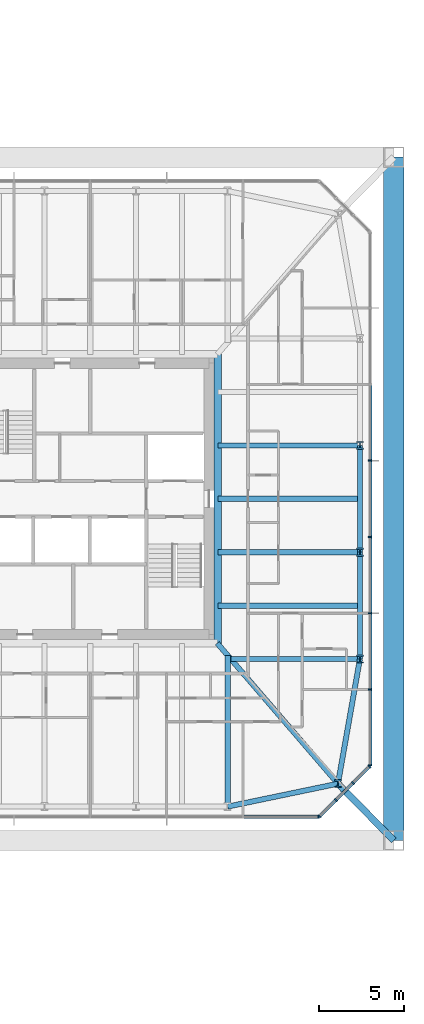
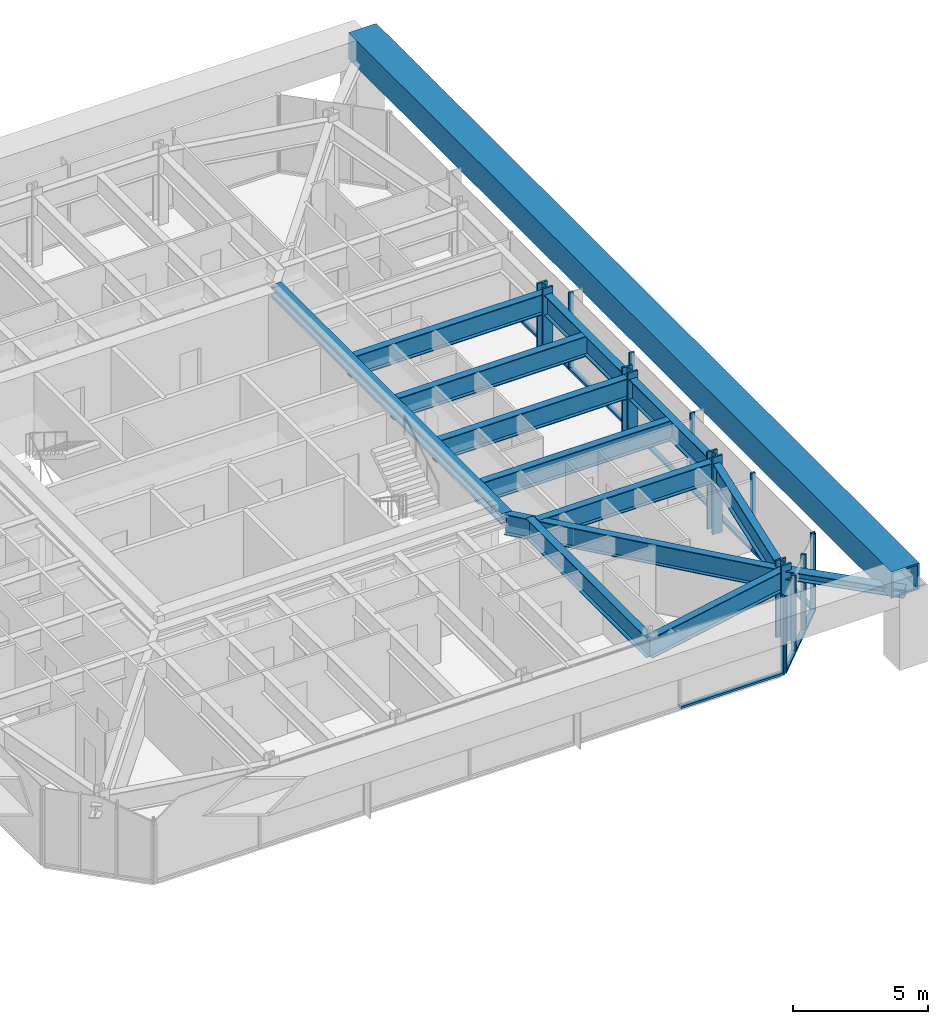
# One storey, part 15 of 32: 25 members, 12 beams, 3 elements without a shape of their own.
"""IFC4 building model written with IfcOpenShell, lengths in metres."""

from ifc_helpers import new_model, si_unit, direction, frame, origin, origin_2d, place, context, subcontext, project, spatial, rectangle, hollow_rectangle, i_section, extrude, material, material_profile, profile_set, type_object, element, aggregate, save


model = new_model("IFC4")

# Units and contexts
model_context = context("Model", 3, precision=1e-05, world=origin(), true_north=direction((0.0, 1.0)))
body_context = subcontext(model_context, "Body", "Model", "MODEL_VIEW")
ifc_project = project(units=[si_unit("LENGTHUNIT", "METRE"), si_unit("AREAUNIT", "SQUARE_METRE"), si_unit("VOLUMEUNIT", "CUBIC_METRE"), si_unit("PLANEANGLEUNIT", "RADIAN"), si_unit("MASSUNIT", "GRAM", prefix="KILO")], contexts=[model_context])

# Site, building, storey
site_placement = place(None, origin())
site = spatial("IfcSite", under=ifc_project, at=site_placement, CompositionType="ELEMENT")
building_placement = place(site_placement, origin())
building = spatial("IfcBuilding", under=site, at=building_placement, Name="Iwan Alto Co-Living Towers", CompositionType="ELEMENT")
storey_placement = place(building_placement, frame((0.0, 0.0, 71.0)))
storey = spatial("IfcBuildingStorey", under=building, at=storey_placement, Name="L19", CompositionType="ELEMENT", Elevation=71.0)

# Curtain wall, member
ifc_material_1 = material(Name="Bronze aluminium unitised frame", Category="aluminium")
curtain_wall_type_1 = type_object("IfcCurtainWallType", Name="CURTAIN WALL CW-C", PredefinedType="NOTDEFINED", material=ifc_material_1)
curtain_wall_1_placement = place(storey_placement, origin())
curtain_wall_1 = element("IfcCurtainWall", 1, at=curtain_wall_1_placement, inside=storey, type_object=curtain_wall_type_1, Name="T2 curtain wall S L19", PredefinedType="NOTDEFINED")
ifc_material_2 = material(Name="Aluminium 6063-T6 bronze anodised", Category="aluminium")
ifc_material_profile_1 = material_profile(ifc_material_2, rectangle(XDim=0.199951171875, YDim=0.080078125, at=origin_2d()), Name="AL 80X200")
ifc_profile_set_1 = profile_set([ifc_material_profile_1], Name="Aluminium 6063-T6 bronze anodised")
member_type_1 = type_object("IfcMemberType", Name="CW-C MULLION 80X200", PredefinedType="MULLION", material=ifc_profile_set_1)
member_1_placement = place(storey_placement, frame((76.4599609375, -18.75, 0.0), z_axis=(0.0, 0.0, 1.0), x_axis=(0.0, 1.0, 0.0)))
member_1 = element("IfcMember", 2, at=member_1_placement, type_object=member_type_1, Name="CW-C mullion 7", PredefinedType="MULLION", context=body_context, shape_type="SweptSolid", body=[
    extrude(rectangle(XDim=0.199951171875, YDim=0.080078125, at=origin_2d()), origin(), (0.0, 0.0, 1.0), 3.5),
])

# Curtain wall, members
curtain_wall_2_placement = place(storey_placement, origin())
curtain_wall_2 = element("IfcCurtainWall", 3, at=curtain_wall_2_placement, inside=storey, type_object=curtain_wall_type_1, Name="T2 curtain wall E L19", PredefinedType="NOTDEFINED")
member_2_placement = place(storey_placement, frame((79.5, -15.7099609375, 0.0), z_axis=(0.0, 0.0, 1.0), x_axis=(-1.0, 0.0, 0.0)))
member_2 = element("IfcMember", 4, at=member_2_placement, type_object=member_type_1, Name="CW-C mullion 1", PredefinedType="MULLION", context=body_context, shape_type="SweptSolid", body=[
    extrude(rectangle(XDim=0.199951171875, YDim=0.080078125, at=origin_2d()), origin(), (0.0, 0.0, 1.0), 3.5),
])
member_3_placement = place(storey_placement, frame((79.5, -11.25, 0.0), z_axis=(0.0, 0.0, 1.0), x_axis=(-1.0, 0.0, 0.0)))
member_3 = element("IfcMember", 5, at=member_3_placement, type_object=member_type_1, Name="CW-C mullion 2", PredefinedType="MULLION", context=body_context, shape_type="SweptSolid", body=[
    extrude(rectangle(XDim=0.199951171875, YDim=0.080078125, at=origin_2d()), origin(), (0.0, 0.0, 1.0), 3.5),
])
member_4_placement = place(storey_placement, frame((79.5, -6.75, 0.0), z_axis=(0.0, 0.0, 1.0), x_axis=(-1.0, 0.0, 0.0)))
member_4 = element("IfcMember", 6, at=member_4_placement, type_object=member_type_1, Name="CW-C mullion 3", PredefinedType="MULLION", context=body_context, shape_type="SweptSolid", body=[
    extrude(rectangle(XDim=0.199951171875, YDim=0.080078125, at=origin_2d()), origin(), (0.0, 0.0, 1.0), 3.5),
])
member_5_placement = place(storey_placement, frame((79.5, -2.25, 0.0), z_axis=(0.0, 0.0, 1.0), x_axis=(-1.0, 0.0, 0.0)))
member_5 = element("IfcMember", 7, at=member_5_placement, type_object=member_type_1, Name="CW-C mullion 4", PredefinedType="MULLION", context=body_context, shape_type="SweptSolid", body=[
    extrude(rectangle(XDim=0.199951171875, YDim=0.080078125, at=origin_2d()), origin(), (0.0, 0.0, 1.0), 3.5),
])
member_6_placement = place(storey_placement, frame((79.5, 2.25, 0.0), z_axis=(0.0, 0.0, 1.0), x_axis=(-1.0, 0.0, 0.0)))
member_6 = element("IfcMember", 8, at=member_6_placement, type_object=member_type_1, Name="CW-C mullion 5", PredefinedType="MULLION", context=body_context, shape_type="SweptSolid", body=[
    extrude(rectangle(XDim=0.199951171875, YDim=0.080078125, at=origin_2d()), origin(), (0.0, 0.0, 1.0), 3.5),
])

# Member
ifc_material_3 = material(Name="Aluminium 6063-T6 bronze anodised", Category="aluminium")
ifc_material_profile_2 = material_profile(ifc_material_3, rectangle(XDim=0.199951171875, YDim=0.10009765625, at=origin_2d()), Name="AL 200X100")
ifc_profile_set_2 = profile_set([ifc_material_profile_2], Name="Aluminium 6063-T6 bronze anodised")
member_type_2 = type_object("IfcMemberType", Name="CW-C TRANSOM 200X100", PredefinedType="USERDEFINED", material=ifc_profile_set_2)
member_7_placement = place(storey_placement, frame((72.0400390625, -18.75, 0.050048828125), z_axis=(1.0, 0.0, 0.0), x_axis=(0.0, 1.0, 0.0)))
member_7 = element("IfcMember", 9, at=member_7_placement, type_object=member_type_2, Name="CW-C transom 6.1", ObjectType="TRANSOM", PredefinedType="USERDEFINED", context=body_context, shape_type="SweptSolid", body=[
    extrude(rectangle(XDim=0.199951171875, YDim=0.10009765625, at=origin_2d()), origin(), (0.0, 0.0, 1.0), 4.3798828125),
])

aggregate(curtain_wall_1, [member_1, member_7])

member_8_placement = place(storey_placement, frame((79.5, -15.669921875, 0.050048828125), z_axis=(0.0, 1.0, 0.0), x_axis=(-1.0, 0.0, 0.0)))
member_8 = element("IfcMember", 10, at=member_8_placement, type_object=member_type_2, Name="CW-C transom 1.1", ObjectType="TRANSOM", PredefinedType="USERDEFINED", context=body_context, shape_type="SweptSolid", body=[
    extrude(rectangle(XDim=0.199951171875, YDim=0.10009765625, at=origin_2d()), origin(), (0.0, 0.0, 1.0), 4.3798828125),
])

member_9_placement = place(storey_placement, frame((79.5, -11.2099609375, 0.050048828125), z_axis=(0.0, 1.0, 0.0), x_axis=(-1.0, 0.0, 0.0)))
member_9 = element("IfcMember", 11, at=member_9_placement, type_object=member_type_2, Name="CW-C transom 2.1", ObjectType="TRANSOM", PredefinedType="USERDEFINED", context=body_context, shape_type="SweptSolid", body=[
    extrude(rectangle(XDim=0.199951171875, YDim=0.10009765625, at=origin_2d()), origin(), (0.0, 0.0, 1.0), 4.419921875),
])

member_10_placement = place(storey_placement, frame((79.5, -6.7099609375, 0.050048828125), z_axis=(0.0, 1.0, 0.0), x_axis=(-1.0, 0.0, 0.0)))
member_10 = element("IfcMember", 12, at=member_10_placement, type_object=member_type_2, Name="CW-C transom 3.1", ObjectType="TRANSOM", PredefinedType="USERDEFINED", context=body_context, shape_type="SweptSolid", body=[
    extrude(rectangle(XDim=0.199951171875, YDim=0.10009765625, at=origin_2d()), origin(), (0.0, 0.0, 1.0), 4.419921875),
])

member_11_placement = place(storey_placement, frame((79.5, -2.2099609375, 0.050048828125), z_axis=(0.0, 1.0, 0.0), x_axis=(-1.0, 0.0, 0.0)))
member_11 = element("IfcMember", 13, at=member_11_placement, type_object=member_type_2, Name="CW-C transom 4.1", ObjectType="TRANSOM", PredefinedType="USERDEFINED", context=body_context, shape_type="SweptSolid", body=[
    extrude(rectangle(XDim=0.199951171875, YDim=0.10009765625, at=origin_2d()), origin(), (0.0, 0.0, 1.0), 4.419921875),
])

member_12_placement = place(storey_placement, frame((79.5, 2.2900390625, 0.050048828125), z_axis=(0.0, 1.0, 0.0), x_axis=(-1.0, 0.0, 0.0)))
member_12 = element("IfcMember", 14, at=member_12_placement, type_object=member_type_2, Name="CW-C transom 5.1", ObjectType="TRANSOM", PredefinedType="USERDEFINED", context=body_context, shape_type="SweptSolid", body=[
    extrude(rectangle(XDim=0.199951171875, YDim=0.10009765625, at=origin_2d()), origin(), (0.0, 0.0, 1.0), 4.419921875),
])

aggregate(curtain_wall_2, [member_2, member_3, member_4, member_5, member_6, member_8, member_9, member_10, member_11, member_12])

# Curtain wall, members
ifc_material_4 = material(Name="Bronze aluminium unitised frame", Category="aluminium")
curtain_wall_type_2 = type_object("IfcCurtainWallType", Name="CURTAIN WALL CW-D", PredefinedType="NOTDEFINED", material=ifc_material_4)
curtain_wall_3_placement = place(storey_placement, origin())
curtain_wall_3 = element("IfcCurtainWall", 15, at=curtain_wall_3_placement, inside=storey, type_object=curtain_wall_type_2, Name="T2 chamfer curtain wall SE L19", PredefinedType="NOTDEFINED")
ifc_material_5 = material(Name="Aluminium 6063-T6 bronze anodised", Category="aluminium")
ifc_material_profile_3 = material_profile(ifc_material_5, rectangle(XDim=0.199951171875, YDim=0.080078125, at=origin_2d()), Name="AL 80X200")
ifc_profile_set_3 = profile_set([ifc_material_profile_3], Name="Aluminium 6063-T6 bronze anodised")
member_type_3 = type_object("IfcMemberType", Name="CW-D MULLION 80X200", PredefinedType="MULLION", material=ifc_profile_set_3)
member_13_placement = place(storey_placement, frame((76.5283203125, -18.7216796875, 0.0), z_axis=(0.0, 0.0, 1.0), x_axis=(-0.707106781187, 0.707106781187, 0.0)))
member_13 = element("IfcMember", 16, at=member_13_placement, type_object=member_type_3, Name="CW-D mullion 1", PredefinedType="MULLION", context=body_context, shape_type="SweptSolid", body=[
    extrude(rectangle(XDim=0.199951171875, YDim=0.080078125, at=origin_2d()), origin(), (0.0, 0.0, 1.0), 3.5),
])
member_14_placement = place(storey_placement, frame((77.5, -17.75, 0.0), z_axis=(0.0, 0.0, 1.0), x_axis=(-0.707106781187, 0.707106781187, 0.0)))
member_14 = element("IfcMember", 17, at=member_14_placement, type_object=member_type_3, Name="CW-D mullion 2", PredefinedType="MULLION", context=body_context, shape_type="SweptSolid", body=[
    extrude(rectangle(XDim=0.199951171875, YDim=0.080078125, at=origin_2d()), origin(), (0.0, 0.0, 1.0), 3.5),
])
member_15_placement = place(storey_placement, frame((78.5, -16.75, 0.0), z_axis=(0.0, 0.0, 1.0), x_axis=(-0.707106781187, 0.707106781187, 0.0)))
member_15 = element("IfcMember", 18, at=member_15_placement, type_object=member_type_3, Name="CW-D mullion 3", PredefinedType="MULLION", context=body_context, shape_type="SweptSolid", body=[
    extrude(rectangle(XDim=0.199951171875, YDim=0.080078125, at=origin_2d()), origin(), (0.0, 0.0, 1.0), 3.5),
])
member_16_placement = place(storey_placement, frame((79.4716796875, -15.7783203125, 0.0), z_axis=(0.0, 0.0, 1.0), x_axis=(-0.707106781187, 0.707106781187, 0.0)))
member_16 = element("IfcMember", 19, at=member_16_placement, type_object=member_type_3, Name="CW-D mullion 4", PredefinedType="MULLION", context=body_context, shape_type="SweptSolid", body=[
    extrude(rectangle(XDim=0.199951171875, YDim=0.080078125, at=origin_2d()), origin(), (0.0, 0.0, 1.0), 3.5),
])
ifc_material_6 = material(Name="Aluminium 6063-T6 bronze anodised", Category="aluminium")
ifc_material_profile_4 = material_profile(ifc_material_6, rectangle(XDim=0.199951171875, YDim=0.10009765625, at=origin_2d()), Name="AL 200X100")
ifc_profile_set_4 = profile_set([ifc_material_profile_4], Name="Aluminium 6063-T6 bronze anodised")
member_type_4 = type_object("IfcMemberType", Name="CW-D TRANSOM 200X100", PredefinedType="USERDEFINED", material=ifc_profile_set_4)
member_17_placement = place(storey_placement, frame((76.556640625, -18.693359375, 0.050048828125), z_axis=(0.707106781187, 0.707106781187, 0.0), x_axis=(-0.707106781187, 0.707106781187, 0.0)))
member_17 = element("IfcMember", 20, at=member_17_placement, type_object=member_type_4, Name="CW-D transom 1.1", ObjectType="TRANSOM", PredefinedType="USERDEFINED", context=body_context, shape_type="SweptSolid", body=[
    extrude(rectangle(XDim=0.199951171875, YDim=0.10009765625, at=origin_2d()), origin(), (0.0, 0.0, 1.0), 1.2939453125),
])
member_18_placement = place(storey_placement, frame((77.5283203125, -17.7216796875, 0.050048828125), z_axis=(0.707106781187, 0.707106781187, 0.0), x_axis=(-0.707106781187, 0.707106781187, 0.0)))
member_18 = element("IfcMember", 21, at=member_18_placement, type_object=member_type_4, Name="CW-D transom 2.1", ObjectType="TRANSOM", PredefinedType="USERDEFINED", context=body_context, shape_type="SweptSolid", body=[
    extrude(rectangle(XDim=0.199951171875, YDim=0.10009765625, at=origin_2d()), origin(), (0.0, 0.0, 1.0), 1.334228515625),
])
member_19_placement = place(storey_placement, frame((78.5283203125, -16.7216796875, 0.050048828125), z_axis=(0.707106781187, 0.707106781187, 0.0), x_axis=(-0.707106781187, 0.707106781187, 0.0)))
member_19 = element("IfcMember", 22, at=member_19_placement, type_object=member_type_4, Name="CW-D transom 3.1", ObjectType="TRANSOM", PredefinedType="USERDEFINED", context=body_context, shape_type="SweptSolid", body=[
    extrude(rectangle(XDim=0.199951171875, YDim=0.10009765625, at=origin_2d()), origin(), (0.0, 0.0, 1.0), 1.2939453125),
])
aggregate(curtain_wall_3, [member_13, member_14, member_15, member_16, member_17, member_18, member_19])

# Beams
ifc_material_7 = material(Name="Steel ASTM A992 Gr 50", Category="steel")
ifc_material_profile_5 = material_profile(ifc_material_7, i_section(OverallWidth=0.436767578125, OverallDepth=0.51318359375, WebThickness=0.060546875, FlangeThickness=0.096923828125, at=origin_2d()), Name="W14X550")
ifc_profile_set_5 = profile_set([ifc_material_profile_5], Name="Steel ASTM A992 Gr 50")
beam_type_1 = type_object("IfcBeamType", Name="T2 CORE LEDGER BEAM W14X550", PredefinedType="BEAM", material=ifc_profile_set_5)
beam_1_placement = place(storey_placement, frame((70.5185546875, -8.553955078125, 2.943359375), z_axis=(0.0, 1.0, 0.0), x_axis=(-1.0, 0.0, 0.0)))
element("IfcBeam", 23, at=beam_1_placement, inside=storey, type_object=beam_type_1, Name="T2 core ledger beam E L20", PredefinedType="BEAM", context=body_context, shape_type="SweptSolid", body=[
    extrude(i_section(OverallWidth=0.436767578125, OverallDepth=0.51318359375, WebThickness=0.060546875, FlangeThickness=0.096923828125, at=origin_2d()), origin(), (0.0, 0.0, 1.0), 17.10791015625),
])
ifc_material_8 = material(Name="Steel ASTM A992 Gr 50", Category="steel")
ifc_material_profile_6 = material_profile(ifc_material_8, i_section(OverallWidth=0.307373046875, OverallDepth=0.927001953125, WebThickness=0.01953125, FlangeThickness=0.031982421875, at=origin_2d()), Name="W36X194")
ifc_profile_set_6 = profile_set([ifc_material_profile_6], Name="Steel ASTM A992 Gr 50")
beam_type_2 = type_object("IfcBeamType", Name="T2 CORNER GIRDER W36X194", PredefinedType="BEAM", material=ifc_profile_set_6)
beam_2_placement = place(storey_placement, frame((77.606201171875, -16.797119140625, 2.736328125), z_axis=(-0.651978338393, 0.758237592227, 0.0), x_axis=(-0.758237592227, -0.651978338393, 0.0)))
element("IfcBeam", 24, at=beam_2_placement, inside=storey, type_object=beam_type_2, Name="T2 corner girder CSE L20", PredefinedType="BEAM", context=body_context, shape_type="SweptSolid", body=[
    extrude(i_section(OverallWidth=0.307373046875, OverallDepth=0.927001953125, WebThickness=0.01953125, FlangeThickness=0.031982421875, at=origin_2d()), origin(), (0.0, 0.0, 1.0), 10.918212890625),
])
ifc_material_9 = material(Name="Steel ASTM A992 Gr 50", Category="steel")
ifc_material_profile_7 = material_profile(ifc_material_9, i_section(OverallWidth=0.307373046875, OverallDepth=0.927001953125, WebThickness=0.01953125, FlangeThickness=0.031982421875, at=origin_2d()), Name="W36X194")
ifc_profile_set_7 = profile_set([ifc_material_profile_7], Name="Steel ASTM A992 Gr 50")
beam_type_3 = type_object("IfcBeamType", Name="T2 EDGE BEAM W36X194", PredefinedType="BEAM", material=ifc_profile_set_7)
beam_3_placement = place(storey_placement, frame((71.10009765625, -18.14990234375, 2.736328125), z_axis=(0.979060119423, 0.203571320564, 0.0), x_axis=(-0.203571320564, 0.979060119423, 0.0)))
element("IfcBeam", 25, at=beam_3_placement, inside=storey, type_object=beam_type_3, Name="T2 edge beam S4 L20", PredefinedType="BEAM", context=body_context, shape_type="SweptSolid", body=[
    extrude(i_section(OverallWidth=0.307373046875, OverallDepth=0.927001953125, WebThickness=0.01953125, FlangeThickness=0.031982421875, at=origin_2d()), origin(), (0.0, 0.0, 1.0), 6.645263671875),
])
beam_4_placement = place(storey_placement, frame((77.606201171875, -16.797119140625, 2.736328125), z_axis=(0.173413807283, 0.98484905008, 0.0), x_axis=(-0.98484905008, 0.173413807283, 0.0)))
element("IfcBeam", 26, at=beam_4_placement, inside=storey, type_object=beam_type_3, Name="T2 edge beam CSE L20", PredefinedType="BEAM", context=body_context, shape_type="SweptSolid", body=[
    extrude(i_section(OverallWidth=0.307373046875, OverallDepth=0.927001953125, WebThickness=0.01953125, FlangeThickness=0.031982421875, at=origin_2d()), origin(), (0.0, 0.0, 1.0), 7.460205078125),
])
beam_5_placement = place(storey_placement, frame((78.89990234375, -9.449951171875, 2.736328125), z_axis=(0.0, 1.0, 0.0), x_axis=(-1.0, 0.0, 0.0)))
element("IfcBeam", 27, at=beam_5_placement, inside=storey, type_object=beam_type_3, Name="T2 edge beam E1 L20", PredefinedType="BEAM", context=body_context, shape_type="SweptSolid", body=[
    extrude(i_section(OverallWidth=0.307373046875, OverallDepth=0.927001953125, WebThickness=0.01953125, FlangeThickness=0.031982421875, at=origin_2d()), origin(), (0.0, 0.0, 1.0), 6.300048828125),
])
beam_6_placement = place(storey_placement, frame((78.89990234375, -3.14990234375, 2.736328125), z_axis=(0.0, 1.0, 0.0), x_axis=(-1.0, 0.0, 0.0)))
element("IfcBeam", 28, at=beam_6_placement, inside=storey, type_object=beam_type_3, Name="T2 edge beam E2 L20", PredefinedType="BEAM", context=body_context, shape_type="SweptSolid", body=[
    extrude(i_section(OverallWidth=0.307373046875, OverallDepth=0.927001953125, WebThickness=0.01953125, FlangeThickness=0.031982421875, at=origin_2d()), origin(), (0.0, 0.0, 1.0), 6.2998046875),
])

# Members
ifc_material_10 = material(Name="Steel ASTM A572 Gr 50", Category="steel")
ifc_material_profile_8 = material_profile(ifc_material_10, hollow_rectangle(XDim=1.199951171875, YDim=1.199951171875, WallThickness=0.070068359375, at=origin_2d()), Name="BOX 1200X1200X70")
ifc_profile_set_8 = profile_set([ifc_material_profile_8], Name="Steel ASTM A572 Gr 50")
member_type_5 = type_object("IfcMemberType", Name="T2 MEGA BELT TIE BOX 1200X1200X70", PredefinedType="STRUT", material=ifc_profile_set_8)
member_20_placement = place(storey_placement, frame((80.89990234375, -20.14990234375, 3.5), z_axis=(0.0, 1.0, 0.0), x_axis=(-1.0, 0.0, 0.0)))
element("IfcMember", 29, at=member_20_placement, inside=storey, type_object=member_type_5, Name="T2 mega belt tie E L20", PredefinedType="STRUT", context=body_context, shape_type="SweptSolid", body=[
    extrude(hollow_rectangle(XDim=1.199951171875, YDim=1.199951171875, WallThickness=0.070068359375, at=origin_2d()), origin(), (0.0, 0.0, 1.0), 40.2998046875),
])
ifc_material_11 = material(Name="Steel ASTM A992 Gr 50", Category="steel")
ifc_material_profile_9 = material_profile(ifc_material_11, i_section(OverallWidth=0.393798828125, OverallDepth=0.3759765625, WebThickness=0.017333984375, FlangeThickness=0.027587890625, at=origin_2d()), Name="W14X145")
ifc_profile_set_9 = profile_set([ifc_material_profile_9], Name="Steel ASTM A992 Gr 50")
member_type_6 = type_object("IfcMemberType", Name="T2 MEGA COLUMN FLOOR TIE W14X145", PredefinedType="STRUT", material=ifc_profile_set_9)
member_21_placement = place(storey_placement, frame((80.89990234375, -20.14990234375, 3.011962890625), z_axis=(-0.700793469544, 0.71336422187, 0.0), x_axis=(-0.71336422187, -0.700793469544, 0.0)))
element("IfcMember", 30, at=member_21_placement, inside=storey, type_object=member_type_6, Name="T2 mega column floor tie SE L20", PredefinedType="STRUT", context=body_context, shape_type="SweptSolid", body=[
    extrude(i_section(OverallWidth=0.393798828125, OverallDepth=0.3759765625, WebThickness=0.017333984375, FlangeThickness=0.027587890625, at=origin_2d()), origin(), (0.0, 0.0, 1.0), 4.699951171875),
])

# Beams
ifc_material_12 = material(Name="Steel ASTM A992 Gr 50", Category="steel")
ifc_material_profile_10 = material_profile(ifc_material_12, i_section(OverallWidth=0.307373046875, OverallDepth=0.927001953125, WebThickness=0.01953125, FlangeThickness=0.031982421875, at=origin_2d()), Name="W36X194")
ifc_profile_set_10 = profile_set([ifc_material_profile_10], Name="Steel ASTM A992 Gr 50")
beam_type_4 = type_object("IfcBeamType", Name="T2 RADIAL BEAM W36X194", PredefinedType="BEAM", material=ifc_profile_set_10)
beam_7_placement = place(storey_placement, frame((71.10009765625, -18.14990234375, 2.736328125), z_axis=(0.0, 1.0, 0.0), x_axis=(-1.0, 0.0, 0.0)))
element("IfcBeam", 31, at=beam_7_placement, inside=storey, type_object=beam_type_4, Name="T2 radial beam S4 L20", PredefinedType="BEAM", context=body_context, shape_type="SweptSolid", body=[
    extrude(i_section(OverallWidth=0.307373046875, OverallDepth=0.927001953125, WebThickness=0.01953125, FlangeThickness=0.031982421875, at=origin_2d()), origin(), (0.0, 0.0, 1.0), 8.91943359375),
])
beam_8_placement = place(storey_placement, frame((78.89990234375, -9.449951171875, 2.736328125), z_axis=(-1.0, 0.0, 0.0), x_axis=(0.0, -1.0, 0.0)))
element("IfcBeam", 32, at=beam_8_placement, inside=storey, type_object=beam_type_4, Name="T2 radial beam E1 L20", PredefinedType="BEAM", context=body_context, shape_type="SweptSolid", body=[
    extrude(i_section(OverallWidth=0.307373046875, OverallDepth=0.927001953125, WebThickness=0.01953125, FlangeThickness=0.031982421875, at=origin_2d()), origin(), (0.0, 0.0, 1.0), 7.611083984375),
])
for number, where, z_axis, x_axis, name in (
    (33, (78.89990234375, -3.14990234375, 2.736328125), (-1.0, 0.0, 0.0), (0.0, -1.0, 0.0), "T2 radial beam E2 L20"),
    (34, (78.89990234375, 3.14990234375, 2.736328125), (-1.0, 0.0, 0.0), (0.0, -1.0, 0.0), "T2 radial beam E3 L20"),
):
    element("IfcBeam", number, at=place(storey_placement, frame(where, z_axis=z_axis, x_axis=x_axis)), inside=storey, type_object=beam_type_4, Name=name, PredefinedType="BEAM", context=body_context, shape_type="SweptSolid", body=[
        extrude(i_section(OverallWidth=0.307373046875, OverallDepth=0.927001953125, WebThickness=0.01953125, FlangeThickness=0.031982421875, at=origin_2d()), origin(), (0.0, 0.0, 1.0), 8.38134765625),
    ])

# Members
ifc_material_13 = material(Name="Steel ASTM A992 Gr 50", Category="steel")
ifc_material_profile_11 = material_profile(ifc_material_13, i_section(OverallWidth=0.424072265625, OverallDepth=0.47509765625, WebThickness=0.0478515625, FlangeThickness=0.0771484375, at=origin_2d()), Name="W14X426")
ifc_profile_set_11 = profile_set([ifc_material_profile_11], Name="Steel ASTM A992 Gr 50")
member_type_7 = type_object("IfcMemberType", Name="T2 RING POST AT STEP W14X426", PredefinedType="MEMBER", material=ifc_profile_set_11)
for number, where, z_axis, x_axis, name in (
    (35, (77.606201171875, -16.797119140625, 0.0), (0.0, 0.0, 1.0), (1.0, 0.0, 0.0), "T2 ring post at step CSE L19"),
    (36, (78.89990234375, -9.449951171875, 0.0), (0.0, 0.0, 1.0), (1.0, 0.0, 0.0), "T2 ring post at step E1 L19"),
    (37, (78.89990234375, -3.14990234375, 0.0), (0.0, 0.0, 1.0), (1.0, 0.0, 0.0), "T2 ring post at step E2 L19"),
    (38, (78.89990234375, 3.14990234375, 0.0), (0.0, 0.0, 1.0), (1.0, 0.0, 0.0), "T2 ring post at step E3 L19"),
):
    element("IfcMember", number, at=place(storey_placement, frame(where, z_axis=z_axis, x_axis=x_axis)), inside=storey, type_object=member_type_7, Name=name, PredefinedType="MEMBER", context=body_context, shape_type="SweptSolid", body=[
        extrude(i_section(OverallWidth=0.424072265625, OverallDepth=0.47509765625, WebThickness=0.0478515625, FlangeThickness=0.0771484375, at=origin_2d()), origin(), (0.0, 0.0, 1.0), 3.5),
    ])

# Beams
ifc_material_14 = material(Name="Steel ASTM A992 Gr 50", Category="steel")
ifc_material_profile_12 = material_profile(ifc_material_14, i_section(OverallWidth=0.307373046875, OverallDepth=0.927001953125, WebThickness=0.01953125, FlangeThickness=0.031982421875, at=origin_2d()), Name="W36X194")
ifc_profile_set_12 = profile_set([ifc_material_profile_12], Name="Steel ASTM A992 Gr 50")
beam_type_5 = type_object("IfcBeamType", Name="T2 SECONDARY BEAM W36X194", PredefinedType="JOIST", material=ifc_profile_set_12)
for number, where, z_axis, x_axis, name in (
    (39, (78.89990234375, -6.300048828125, 2.736328125), (-1.0, 0.0, 0.0), (0.0, -1.0, 0.0), "T2 secondary beam E1 L20"),
    (40, (78.89990234375, 0.0, 2.736328125), (-1.0, 0.0, 0.0), (0.0, -1.0, 0.0), "T2 secondary beam E2 L20"),
):
    element("IfcBeam", number, at=place(storey_placement, frame(where, z_axis=z_axis, x_axis=x_axis)), inside=storey, type_object=beam_type_5, Name=name, PredefinedType="JOIST", context=body_context, shape_type="SweptSolid", body=[
        extrude(i_section(OverallWidth=0.307373046875, OverallDepth=0.927001953125, WebThickness=0.01953125, FlangeThickness=0.031982421875, at=origin_2d()), origin(), (0.0, 0.0, 1.0), 8.38134765625),
    ])

save(model, "model.ifc")
